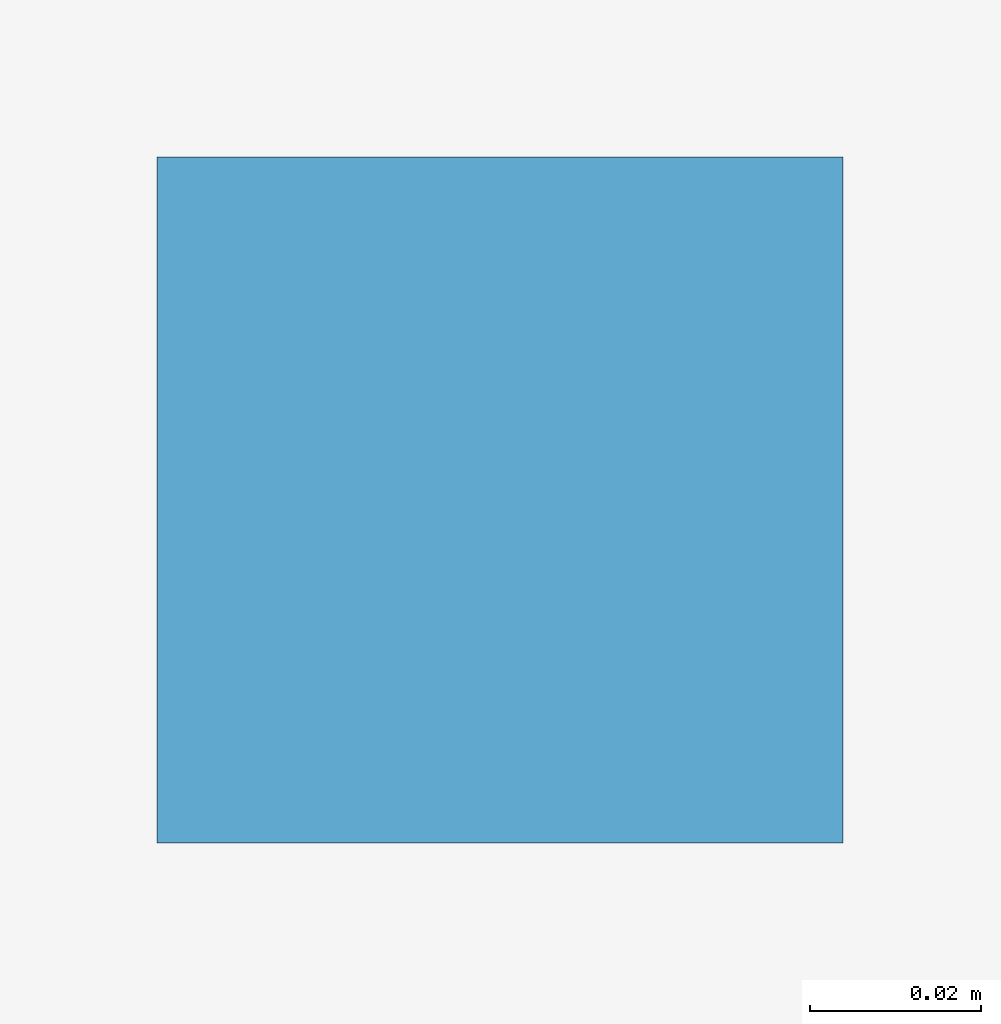
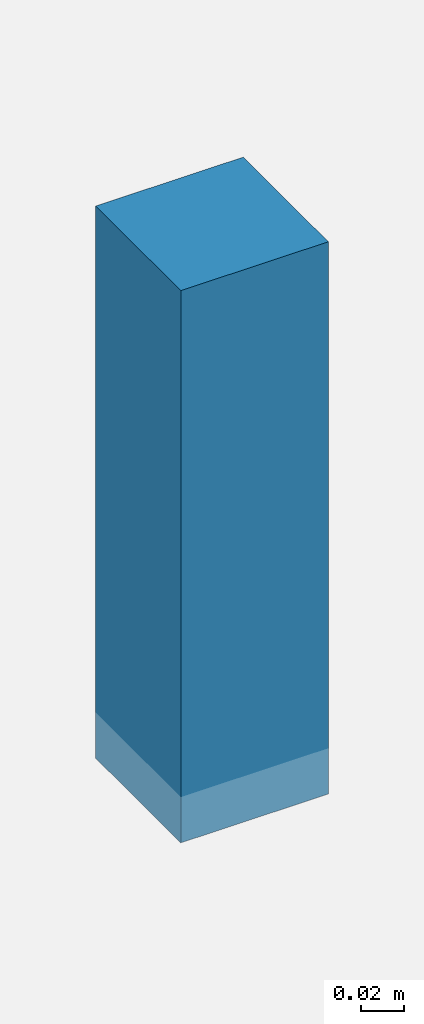
# One storey, part 20 of 31: 1 discrete accessory.
"""IFC4 building model written with IfcOpenShell, lengths in metres."""

from ifc_helpers import new_model, si_unit, direction, frame, origin, origin_2d, place, context, subcontext, project, spatial, rectangle, extrude, material, type_object, element, save


model = new_model("IFC4")

# Units and contexts
model_context = context("Model", 3, precision=1e-05, world=origin(), true_north=direction((0.0, 1.0)))
body_context = subcontext(model_context, "Body", "Model", "MODEL_VIEW")
ifc_project = project(units=[si_unit("LENGTHUNIT", "METRE"), si_unit("AREAUNIT", "SQUARE_METRE"), si_unit("VOLUMEUNIT", "CUBIC_METRE"), si_unit("PLANEANGLEUNIT", "RADIAN"), si_unit("MASSUNIT", "GRAM", prefix="KILO")], contexts=[model_context])

# Site, building, storey
site_placement = place(None, origin())
site = spatial("IfcSite", under=ifc_project, at=site_placement, CompositionType="ELEMENT")
building_placement = place(site_placement, origin())
building = spatial("IfcBuilding", under=site, at=building_placement, Name="Chalmorin Arch Market", CompositionType="ELEMENT")
storey_placement = place(building_placement, frame((0.0, 0.0, -4.199951171875)))
storey = spatial("IfcBuildingStorey", under=building, at=storey_placement, Name="B1", CompositionType="ELEMENT", Elevation=-4.199951171875)

# Discrete accessory
ifc_material = material(Name="Galvanized Cold-Formed Steel", Category="steel")
discrete_accessory_type = type_object("IfcDiscreteAccessoryType", Name="CeilingSuspensionBracket-80x80", PredefinedType="BRACKET", material=ifc_material)
discrete_accessory_placement = place(storey_placement, frame((110.25, 20.85009765625, 3.653076171875), z_axis=(0.0, 0.0, 1.0), x_axis=(1.0, 0.0, 0.0)))
element("IfcDiscreteAccessory", 1, at=discrete_accessory_placement, inside=storey, type_object=discrete_accessory_type, Name="CSB-045", PredefinedType="BRACKET", context=body_context, shape_type="SweptSolid", body=[
    extrude(rectangle(XDim=0.080078125, YDim=0.080078125, at=origin_2d()), origin(), (0.0, 0.0, 1.0), 0.31689453125),
])

save(model, "model.ifc")
